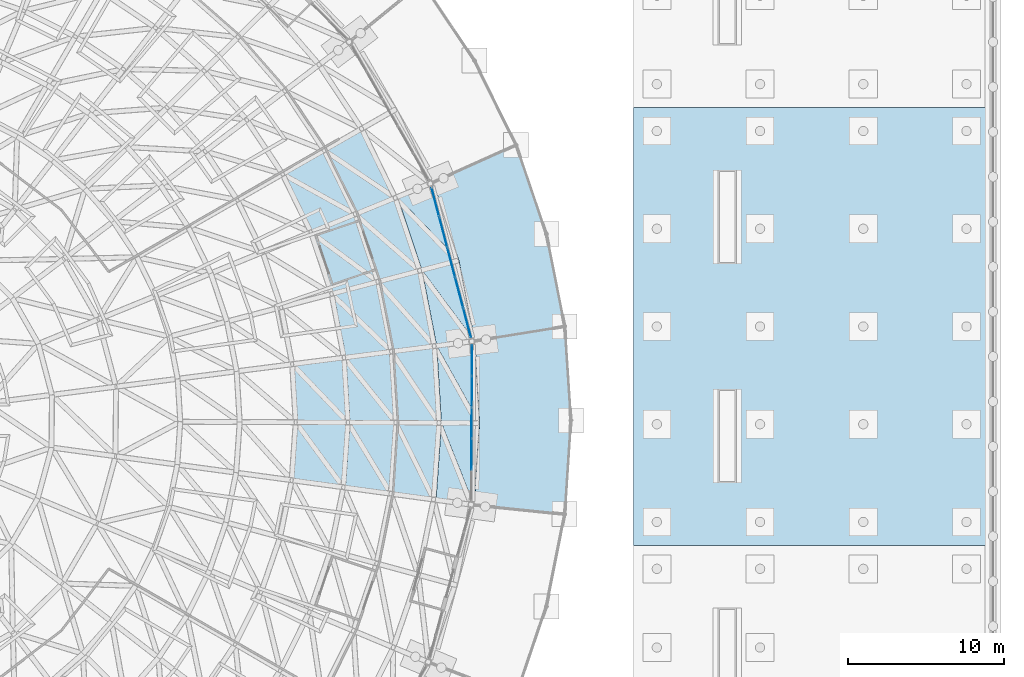
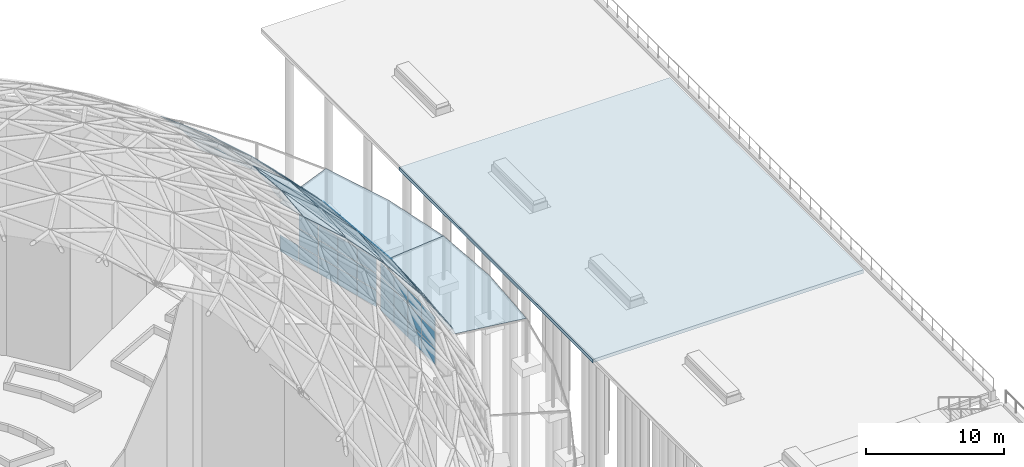
# One storey, part 153 of 226: 59 plates, 1 slab, 2 elements without a shape of their own.
"""IFC4 building model written with IfcOpenShell, lengths in metres."""

from ifc_helpers import new_model, si_unit, direction, frame, origin, origin_2d, place, context, subcontext, project, spatial, polyline, rectangle, outline, extrude, material, layer, layer_set, type_object, element, aggregate, save


model = new_model("IFC4")

# Units and contexts
model_context = context("Model", 3, precision=1e-05, world=origin(), true_north=direction((0.0, 1.0)))
body_context = subcontext(model_context, "Body", "Model", "MODEL_VIEW")
ifc_project = project(units=[si_unit("LENGTHUNIT", "METRE"), si_unit("AREAUNIT", "SQUARE_METRE"), si_unit("VOLUMEUNIT", "CUBIC_METRE"), si_unit("PLANEANGLEUNIT", "RADIAN"), si_unit("MASSUNIT", "GRAM", prefix="KILO")], contexts=[model_context])

# Site, building, storey
site_placement = place(None, origin())
site = spatial("IfcSite", under=ifc_project, at=site_placement, CompositionType="ELEMENT")
building_placement = place(site_placement, origin())
building = spatial("IfcBuilding", under=site, at=building_placement, Name="Ceibo Conservatory and Research Tower", CompositionType="ELEMENT")
storey_placement = place(building_placement, origin())
storey = spatial("IfcBuildingStorey", under=building, at=storey_placement, Name="L00", CompositionType="ELEMENT", Elevation=0.0)

# Plates
ifc_material_1 = material(Name="Laminated glass", Category="glass")
ifc_layer_1 = layer(ifc_material_1, 0.02490234375)
ifc_layer_set_1 = layer_set([ifc_layer_1], Name="Laminated glass")
plate_type_1 = type_object("IfcPlateType", Name="Canopy glass 25", PredefinedType="SHEET", material=ifc_layer_set_1)
plate_1_placement = place(storey_placement, frame((195.92822265625, 113.07958984375, 4.07275390625), z_axis=(-0.044193618704, -0.011748305783, -0.99895390353), x_axis=(-0.254614772596, 0.967042556314, -0.000108877376)))
element("IfcPlate", 1, at=plate_1_placement, inside=storey, type_object=plate_type_1, Name="Brim canopy plate A-CP01", PredefinedType="SHEET", context=body_context, shape_type="SweptSolid", body=[
    extrude(outline(polyline([(0.0, 0.0), (10.507416960908284, 4.440892098500626e-16), (11.456758165142325, 5.680353145272555), (5.454343613361995, 6.10031056466748), (-0.5516414804055606, 5.732470060247664), (0.0, 0.0)])), origin(), (0.0, 0.0, 1.0), 0.02490234375),
])
plate_2_placement = place(storey_placement, frame((195.88232421875, 102.572265625, 4.07275390625), z_axis=(-0.045728810587, 9.0168398e-05, -0.998953886699), x_axis=(0.0043631799, 0.999990475293, -0.000109470006)))
element("IfcPlate", 2, at=plate_2_placement, inside=storey, type_object=plate_type_1, Name="Brim canopy plate A-CP24", PredefinedType="SHEET", context=body_context, shape_type="SweptSolid", body=[
    extrude(outline(polyline([(0.0, 0.0), (10.507424402709386, -1.3877787807814457e-17), (11.45677990073015, 5.6801621530125495), (5.45440566515126, 6.100260397719241), (-0.5514065049779017, 5.732561831909539), (0.0, 0.0)])), origin(), (0.0, 0.0, 1.0), 0.02490234375),
])

# Curtain wall, plates
ifc_material_2 = material(Name="Aluminium and glass", Category="aluminium")
curtain_wall_type = type_object("IfcCurtainWallType", Name="Drum curtain wall", PredefinedType="NOTDEFINED", material=ifc_material_2)
curtain_wall_1_placement = place(storey_placement, origin())
curtain_wall_1 = element("IfcCurtainWall", 3, at=curtain_wall_1_placement, inside=storey, type_object=curtain_wall_type, Name="Drum curtain wall A-CW01", PredefinedType="NOTDEFINED")
ifc_layer_2 = layer(ifc_material_1, 0.028076171875)
ifc_layer_set_2 = layer_set([ifc_layer_2], Name="Laminated glass")
plate_type_2 = type_object("IfcPlateType", Name="Drum glass 28", PredefinedType="CURTAIN_PANEL", material=ifc_layer_set_2)
plate_3_placement = place(storey_placement, frame((195.369140625, 114.2294921875, 0.06005859375), z_axis=(0.0, 0.0, 1.0), x_axis=(-0.254601962062, 0.967045935266, 0.0)))
plate_3 = element("IfcPlate", 4, at=plate_3_placement, type_object=plate_type_2, Name="A-CW01 panel 1.1", PredefinedType="CURTAIN_PANEL", context=body_context, shape_type="SweptSolid", body=[
    extrude(rectangle(XDim=1.917236328125, YDim=0.028076171875, at=origin_2d()), origin(), (0.0, 0.0, 1.0), 1.43994140625),
])
plate_4_placement = place(storey_placement, frame((195.369140625, 114.2294921875, 1.56005859375), z_axis=(0.0, 0.0, 1.0), x_axis=(-0.254601962062, 0.967045935266, 0.0)))
plate_4 = element("IfcPlate", 5, at=plate_4_placement, type_object=plate_type_2, Name="A-CW01 panel 1.2", PredefinedType="CURTAIN_PANEL", context=body_context, shape_type="SweptSolid", body=[
    extrude(rectangle(XDim=1.917236328125, YDim=0.028076171875, at=origin_2d()), origin(), (0.0, 0.0, 1.0), 1.425048828125),
])
plate_5_placement = place(storey_placement, frame((195.369140625, 114.2294921875, 3.044921875), z_axis=(0.0, 0.0, 1.0), x_axis=(-0.254601962062, 0.967045935266, 0.0)))
plate_5 = element("IfcPlate", 6, at=plate_5_placement, type_object=plate_type_2, Name="A-CW01 panel 1.3", PredefinedType="CURTAIN_PANEL", context=body_context, shape_type="SweptSolid", body=[
    extrude(rectangle(XDim=1.917236328125, YDim=0.028076171875, at=origin_2d()), origin(), (0.0, 0.0, 1.0), 1.233154296875),
])
plate_6_placement = place(storey_placement, frame((194.86181640625, 116.156005859375, 0.06005859375), z_axis=(0.0, 0.0, 1.0), x_axis=(-0.254601962062, 0.967045935266, 0.0)))
plate_6 = element("IfcPlate", 7, at=plate_6_placement, type_object=plate_type_2, Name="A-CW01 panel 2.1", PredefinedType="CURTAIN_PANEL", context=body_context, shape_type="SweptSolid", body=[
    extrude(rectangle(XDim=1.947021484375, YDim=0.028076171875, at=origin_2d()), origin(), (0.0, 0.0, 1.0), 1.43994140625),
])
plate_7_placement = place(storey_placement, frame((194.86181640625, 116.156005859375, 1.56005859375), z_axis=(0.0, 0.0, 1.0), x_axis=(-0.254601962062, 0.967045935266, 0.0)))
plate_7 = element("IfcPlate", 8, at=plate_7_placement, type_object=plate_type_2, Name="A-CW01 panel 2.2", PredefinedType="CURTAIN_PANEL", context=body_context, shape_type="SweptSolid", body=[
    extrude(rectangle(XDim=1.947021484375, YDim=0.028076171875, at=origin_2d()), origin(), (0.0, 0.0, 1.0), 1.425048828125),
])
plate_8_placement = place(storey_placement, frame((194.86181640625, 116.156005859375, 3.044921875), z_axis=(0.0, 0.0, 1.0), x_axis=(-0.254601962062, 0.967045935266, 0.0)))
plate_8 = element("IfcPlate", 9, at=plate_8_placement, type_object=plate_type_2, Name="A-CW01 panel 2.3", PredefinedType="CURTAIN_PANEL", context=body_context, shape_type="SweptSolid", body=[
    extrude(rectangle(XDim=1.947021484375, YDim=0.028076171875, at=origin_2d()), origin(), (0.0, 0.0, 1.0), 1.233154296875),
])
plate_9_placement = place(storey_placement, frame((194.350830078125, 118.096923828125, 0.06005859375), z_axis=(0.0, 0.0, 1.0), x_axis=(-0.254601962062, 0.967045935266, 0.0)))
plate_9 = element("IfcPlate", 10, at=plate_9_placement, type_object=plate_type_2, Name="A-CW01 panel 3.1", PredefinedType="CURTAIN_PANEL", context=body_context, shape_type="SweptSolid", body=[
    extrude(rectangle(XDim=1.947021484375, YDim=0.028076171875, at=origin_2d()), origin(), (0.0, 0.0, 1.0), 1.43994140625),
])
plate_10_placement = place(storey_placement, frame((194.350830078125, 118.096923828125, 1.56005859375), z_axis=(0.0, 0.0, 1.0), x_axis=(-0.254601962062, 0.967045935266, 0.0)))
plate_10 = element("IfcPlate", 11, at=plate_10_placement, type_object=plate_type_2, Name="A-CW01 panel 3.2", PredefinedType="CURTAIN_PANEL", context=body_context, shape_type="SweptSolid", body=[
    extrude(rectangle(XDim=1.947021484375, YDim=0.028076171875, at=origin_2d()), origin(), (0.0, 0.0, 1.0), 1.425048828125),
])
plate_11_placement = place(storey_placement, frame((194.350830078125, 118.096923828125, 3.044921875), z_axis=(0.0, 0.0, 1.0), x_axis=(-0.254601962062, 0.967045935266, 0.0)))
plate_11 = element("IfcPlate", 12, at=plate_11_placement, type_object=plate_type_2, Name="A-CW01 panel 3.3", PredefinedType="CURTAIN_PANEL", context=body_context, shape_type="SweptSolid", body=[
    extrude(rectangle(XDim=1.947021484375, YDim=0.028076171875, at=origin_2d()), origin(), (0.0, 0.0, 1.0), 1.233154296875),
])
plate_12_placement = place(storey_placement, frame((193.83984375, 120.037841796875, 0.06005859375), z_axis=(0.0, 0.0, 1.0), x_axis=(-0.254601962062, 0.967045935266, 0.0)))
plate_12 = element("IfcPlate", 13, at=plate_12_placement, type_object=plate_type_2, Name="A-CW01 panel 4.1", PredefinedType="CURTAIN_PANEL", context=body_context, shape_type="SweptSolid", body=[
    extrude(rectangle(XDim=1.947021484375, YDim=0.028076171875, at=origin_2d()), origin(), (0.0, 0.0, 1.0), 1.43994140625),
])
plate_13_placement = place(storey_placement, frame((193.83984375, 120.037841796875, 1.56005859375), z_axis=(0.0, 0.0, 1.0), x_axis=(-0.254601962062, 0.967045935266, 0.0)))
plate_13 = element("IfcPlate", 14, at=plate_13_placement, type_object=plate_type_2, Name="A-CW01 panel 4.2", PredefinedType="CURTAIN_PANEL", context=body_context, shape_type="SweptSolid", body=[
    extrude(rectangle(XDim=1.947021484375, YDim=0.028076171875, at=origin_2d()), origin(), (0.0, 0.0, 1.0), 1.425048828125),
])
plate_14_placement = place(storey_placement, frame((193.83984375, 120.037841796875, 3.044921875), z_axis=(0.0, 0.0, 1.0), x_axis=(-0.254601962062, 0.967045935266, 0.0)))
plate_14 = element("IfcPlate", 15, at=plate_14_placement, type_object=plate_type_2, Name="A-CW01 panel 4.3", PredefinedType="CURTAIN_PANEL", context=body_context, shape_type="SweptSolid", body=[
    extrude(rectangle(XDim=1.947021484375, YDim=0.028076171875, at=origin_2d()), origin(), (0.0, 0.0, 1.0), 1.233154296875),
])
plate_15_placement = place(storey_placement, frame((193.332763671875, 121.96435546875, 0.06005859375), z_axis=(0.0, 0.0, 1.0), x_axis=(-0.254601962062, 0.967045935266, 0.0)))
plate_15 = element("IfcPlate", 16, at=plate_15_placement, type_object=plate_type_2, Name="A-CW01 panel 5.1", PredefinedType="CURTAIN_PANEL", context=body_context, shape_type="SweptSolid", body=[
    extrude(rectangle(XDim=1.917236328125, YDim=0.028076171875, at=origin_2d()), origin(), (0.0, 0.0, 1.0), 1.43994140625),
])
aggregate(curtain_wall_1, [plate_3, plate_4, plate_5, plate_6, plate_7, plate_8, plate_9, plate_10, plate_11, plate_12, plate_13, plate_14, plate_15])

curtain_wall_2_placement = place(storey_placement, origin())
curtain_wall_2 = element("IfcCurtainWall", 17, at=curtain_wall_2_placement, inside=storey, type_object=curtain_wall_type, Name="Drum curtain wall A-CW24", PredefinedType="NOTDEFINED")
plate_16_placement = place(storey_placement, frame((195.648681640625, 105.81982421875, 0.06005859375), z_axis=(0.0, 0.0, 1.0), x_axis=(0.004363300488, 0.999990480759, 0.0)))
plate_16 = element("IfcPlate", 18, at=plate_16_placement, type_object=plate_type_2, Name="A-CW24 panel 2.1", PredefinedType="CURTAIN_PANEL", context=body_context, shape_type="SweptSolid", body=[
    extrude(rectangle(XDim=1.947021484375, YDim=0.028076171875, at=origin_2d()), origin(), (0.0, 0.0, 1.0), 1.43994140625),
])
plate_17_placement = place(storey_placement, frame((195.648681640625, 105.81982421875, 1.56005859375), z_axis=(0.0, 0.0, 1.0), x_axis=(0.004363300488, 0.999990480759, 0.0)))
plate_17 = element("IfcPlate", 19, at=plate_17_placement, type_object=plate_type_2, Name="A-CW24 panel 2.2", PredefinedType="CURTAIN_PANEL", context=body_context, shape_type="SweptSolid", body=[
    extrude(rectangle(XDim=1.947021484375, YDim=0.028076171875, at=origin_2d()), origin(), (0.0, 0.0, 1.0), 1.425048828125),
])
plate_18_placement = place(storey_placement, frame((195.648681640625, 105.81982421875, 3.044921875), z_axis=(0.0, 0.0, 1.0), x_axis=(0.004363300488, 0.999990480759, 0.0)))
plate_18 = element("IfcPlate", 20, at=plate_18_placement, type_object=plate_type_2, Name="A-CW24 panel 2.3", PredefinedType="CURTAIN_PANEL", context=body_context, shape_type="SweptSolid", body=[
    extrude(rectangle(XDim=1.947021484375, YDim=0.028076171875, at=origin_2d()), origin(), (0.0, 0.0, 1.0), 1.233154296875),
])
plate_19_placement = place(storey_placement, frame((195.657470703125, 107.826904296875, 0.06005859375), z_axis=(0.0, 0.0, 1.0), x_axis=(0.004363300488, 0.999990480759, 0.0)))
plate_19 = element("IfcPlate", 21, at=plate_19_placement, type_object=plate_type_2, Name="A-CW24 panel 3.1", PredefinedType="CURTAIN_PANEL", context=body_context, shape_type="SweptSolid", body=[
    extrude(rectangle(XDim=1.947021484375, YDim=0.028076171875, at=origin_2d()), origin(), (0.0, 0.0, 1.0), 1.43994140625),
])
plate_20_placement = place(storey_placement, frame((195.657470703125, 107.826904296875, 1.56005859375), z_axis=(0.0, 0.0, 1.0), x_axis=(0.004363300488, 0.999990480759, 0.0)))
plate_20 = element("IfcPlate", 22, at=plate_20_placement, type_object=plate_type_2, Name="A-CW24 panel 3.2", PredefinedType="CURTAIN_PANEL", context=body_context, shape_type="SweptSolid", body=[
    extrude(rectangle(XDim=1.947021484375, YDim=0.028076171875, at=origin_2d()), origin(), (0.0, 0.0, 1.0), 1.425048828125),
])
plate_21_placement = place(storey_placement, frame((195.657470703125, 107.826904296875, 3.044921875), z_axis=(0.0, 0.0, 1.0), x_axis=(0.004363300488, 0.999990480759, 0.0)))
plate_21 = element("IfcPlate", 23, at=plate_21_placement, type_object=plate_type_2, Name="A-CW24 panel 3.3", PredefinedType="CURTAIN_PANEL", context=body_context, shape_type="SweptSolid", body=[
    extrude(rectangle(XDim=1.947021484375, YDim=0.028076171875, at=origin_2d()), origin(), (0.0, 0.0, 1.0), 1.233154296875),
])
plate_22_placement = place(storey_placement, frame((195.666259765625, 109.833984375, 0.06005859375), z_axis=(0.0, 0.0, 1.0), x_axis=(0.004363300488, 0.999990480759, 0.0)))
plate_22 = element("IfcPlate", 24, at=plate_22_placement, type_object=plate_type_2, Name="A-CW24 panel 4.1", PredefinedType="CURTAIN_PANEL", context=body_context, shape_type="SweptSolid", body=[
    extrude(rectangle(XDim=1.947021484375, YDim=0.028076171875, at=origin_2d()), origin(), (0.0, 0.0, 1.0), 1.43994140625),
])
plate_23_placement = place(storey_placement, frame((195.666259765625, 109.833984375, 1.56005859375), z_axis=(0.0, 0.0, 1.0), x_axis=(0.004363300488, 0.999990480759, 0.0)))
plate_23 = element("IfcPlate", 25, at=plate_23_placement, type_object=plate_type_2, Name="A-CW24 panel 4.2", PredefinedType="CURTAIN_PANEL", context=body_context, shape_type="SweptSolid", body=[
    extrude(rectangle(XDim=1.947021484375, YDim=0.028076171875, at=origin_2d()), origin(), (0.0, 0.0, 1.0), 1.425048828125),
])
plate_24_placement = place(storey_placement, frame((195.666259765625, 109.833984375, 3.044921875), z_axis=(0.0, 0.0, 1.0), x_axis=(0.004363300488, 0.999990480759, 0.0)))
plate_24 = element("IfcPlate", 26, at=plate_24_placement, type_object=plate_type_2, Name="A-CW24 panel 4.3", PredefinedType="CURTAIN_PANEL", context=body_context, shape_type="SweptSolid", body=[
    extrude(rectangle(XDim=1.947021484375, YDim=0.028076171875, at=origin_2d()), origin(), (0.0, 0.0, 1.0), 1.233154296875),
])
plate_25_placement = place(storey_placement, frame((195.6748046875, 111.826171875, 0.06005859375), z_axis=(0.0, 0.0, 1.0), x_axis=(0.004363300488, 0.999990480759, 0.0)))
plate_25 = element("IfcPlate", 27, at=plate_25_placement, type_object=plate_type_2, Name="A-CW24 panel 5.1", PredefinedType="CURTAIN_PANEL", context=body_context, shape_type="SweptSolid", body=[
    extrude(rectangle(XDim=1.917236328125, YDim=0.028076171875, at=origin_2d()), origin(), (0.0, 0.0, 1.0), 1.43994140625),
])
plate_26_placement = place(storey_placement, frame((195.6748046875, 111.826171875, 1.56005859375), z_axis=(0.0, 0.0, 1.0), x_axis=(0.004363300488, 0.999990480759, 0.0)))
plate_26 = element("IfcPlate", 28, at=plate_26_placement, type_object=plate_type_2, Name="A-CW24 panel 5.2", PredefinedType="CURTAIN_PANEL", context=body_context, shape_type="SweptSolid", body=[
    extrude(rectangle(XDim=1.917236328125, YDim=0.028076171875, at=origin_2d()), origin(), (0.0, 0.0, 1.0), 1.425048828125),
])
plate_27_placement = place(storey_placement, frame((195.6748046875, 111.826171875, 3.044921875), z_axis=(0.0, 0.0, 1.0), x_axis=(0.004363300488, 0.999990480759, 0.0)))
plate_27 = element("IfcPlate", 29, at=plate_27_placement, type_object=plate_type_2, Name="A-CW24 panel 5.3", PredefinedType="CURTAIN_PANEL", context=body_context, shape_type="SweptSolid", body=[
    extrude(rectangle(XDim=1.917236328125, YDim=0.028076171875, at=origin_2d()), origin(), (0.0, 0.0, 1.0), 1.233154296875),
])
aggregate(curtain_wall_2, [plate_16, plate_17, plate_18, plate_19, plate_20, plate_21, plate_22, plate_23, plate_24, plate_25, plate_26, plate_27])

# Plates
ifc_layer_3 = layer(ifc_material_1, 0.035888671875)
ifc_layer_set_3 = layer_set([ifc_layer_3], Name="Laminated glass")
plate_type_3 = type_object("IfcPlateType", Name="Gridshell roof glass 36", PredefinedType="SHEET", material=ifc_layer_set_3)
plate_28_placement = place(storey_placement, frame((195.84619140625, 113.069091796875, 4.601806640625), z_axis=(0.814738778815, 0.158319653824, 0.557795311479), x_axis=(-0.190751500946, 0.981638357486, 0.0)))
element("IfcPlate", 30, at=plate_28_placement, inside=storey, type_object=plate_type_3, Name="Glass panel A-P01-001", PredefinedType="SHEET", context=body_context, shape_type="SweptSolid", body=[
    extrude(outline(polyline([(0.0, 0.0), (5.253941702457205, 1.1102230246251565e-16), (5.093939743978923, 4.374936585347089), (0.0, 0.0)])), origin(), (0.0, 0.0, -1.0), 0.035888671875),
])
plate_29_placement = place(storey_placement, frame((195.84619140625, 113.069091796875, 4.601806640625), z_axis=(0.814794412678, 0.158457346714, 0.557674936088), x_axis=(-0.501458973527, 0.675362560417, 0.540762711229)))
element("IfcPlate", 31, at=plate_29_placement, inside=storey, type_object=plate_type_3, Name="Glass panel A-P01-002", PredefinedType="SHEET", context=body_context, shape_type="SweptSolid", body=[
    extrude(outline(polyline([(0.0, 0.0), (6.71478162274072, 8.881784197001252e-16), (2.9715025227845504, 3.214375672527901), (0.0, 0.0)])), origin(), (0.0, 0.0, -1.0), 0.035888671875),
])
plate_30_placement = place(storey_placement, frame((194.843994140625, 118.2265625, 4.601806640625), z_axis=(0.787104212811, 0.263319331949, 0.557790182414), x_axis=(-0.317259089309, 0.948338900526, 0.0)))
element("IfcPlate", 32, at=plate_30_placement, inside=storey, type_object=plate_type_3, Name="Glass panel A-P01-003", PredefinedType="SHEET", context=body_context, shape_type="SweptSolid", body=[
    extrude(outline(polyline([(0.0, 0.0), (5.254355962289331, 0.0), (5.094263083208822, 4.374918415704696), (0.0, 0.0)])), origin(), (0.0, 0.0, -1.0), 0.035888671875),
])
plate_31_placement = place(storey_placement, frame((194.843994140625, 118.2265625, 4.601806640625), z_axis=(0.787102300093, 0.263311939698, 0.55779637109), x_axis=(-0.585318108136, 0.60415125181, 0.540743910945)))
element("IfcPlate", 33, at=plate_31_placement, inside=storey, type_object=plate_type_3, Name="Glass panel A-P01-004", PredefinedType="SHEET", context=body_context, shape_type="SweptSolid", body=[
    extrude(outline(polyline([(0.0, 0.0), (6.71501507853976, -4.440892098500626e-16), (2.9716491720905545, 3.214805118594104), (0.0, 0.0)])), origin(), (0.0, 0.0, -1.0), 0.035888671875),
])
plate_32_placement = place(storey_placement, frame((195.801025390625, 102.58349609375, 4.601806640625), z_axis=(0.827977641225, -0.057895948918, 0.557764363088), x_axis=(0.06975421024, 0.997564208537, 0.0)))
element("IfcPlate", 34, at=plate_32_placement, inside=storey, type_object=plate_type_3, Name="Glass panel A-P01-093", PredefinedType="SHEET", context=body_context, shape_type="SweptSolid", body=[
    extrude(outline(polyline([(0.0, 0.0), (5.253519133306327, 5.551115123125783e-17), (5.093907858799342, 4.374826957068864), (0.0, 0.0)])), origin(), (0.0, 0.0, -1.0), 0.035888671875),
])
plate_33_placement = place(storey_placement, frame((195.801025390625, 102.58349609375, 4.601806640625), z_axis=(0.827972302841, -0.057903032785, 0.557771552271), x_axis=(-0.309598605144, 0.782122794509, 0.540770411545)))
element("IfcPlate", 35, at=plate_33_placement, inside=storey, type_object=plate_type_3, Name="Glass panel A-P01-094", PredefinedType="SHEET", context=body_context, shape_type="SweptSolid", body=[
    extrude(outline(polyline([(0.0, 0.0), (6.714686007419417, 0.0), (2.971369174010535, 3.214924470589305), (0.0, 0.0)])), origin(), (0.0, 0.0, -1.0), 0.035888671875),
])
plate_34_placement = place(storey_placement, frame((196.16748046875, 107.82421875, 4.601806640625), z_axis=(0.82850069804, 0.050752079254, 0.557683440491), x_axis=(-0.061143125985, 0.998129008768, 0.0)))
element("IfcPlate", 36, at=plate_34_placement, inside=storey, type_object=plate_type_3, Name="Glass panel A-P01-095", PredefinedType="SHEET", context=body_context, shape_type="SweptSolid", body=[
    extrude(outline(polyline([(0.0, 0.0), (5.254704553018939, 0.0), (5.095221856598572, 4.374540373181693), (0.0, 0.0)])), origin(), (0.0, 0.0, -1.0), 0.035888671875),
])
plate_35_placement = place(storey_placement, frame((196.16748046875, 107.82421875, 4.601806640625), z_axis=(0.8284555689, 0.050672325751, 0.557757730347), x_axis=(-0.408991673655, 0.735094368117, 0.54070516998)))
element("IfcPlate", 37, at=plate_35_placement, inside=storey, type_object=plate_type_3, Name="Glass panel A-P01-096", PredefinedType="SHEET", context=body_context, shape_type="SweptSolid", body=[
    extrude(outline(polyline([(0.0, 0.0), (6.715496202408012, -4.440892098500626e-16), (2.971544883548719, 3.2147329077703466), (0.0, 0.0)])), origin(), (0.0, 0.0, -1.0), 0.035888671875),
])
plate_36_placement = place(storey_placement, frame((193.4208984375, 112.7607421875, 8.23291015625), z_axis=(0.760353598471, 0.147869955787, 0.632453066613), x_axis=(-0.190898795953, 0.981609723721, 0.0)))
element("IfcPlate", 38, at=plate_36_placement, inside=storey, type_object=plate_type_3, Name="Glass panel A-P02-001", PredefinedType="SHEET", context=body_context, shape_type="SweptSolid", body=[
    extrude(outline(polyline([(0.0, 0.0), (4.933999329581213, -1.1102230246251565e-16), (4.752811163246886, 4.372854110007431), (0.0, 0.0)])), origin(), (0.0, 0.0, -1.0), 0.035888671875),
])
plate_37_placement = place(storey_placement, frame((193.4208984375, 112.7607421875, 8.23291015625), z_axis=(0.760356662597, 0.14787700298, 0.6324477351), x_axis=(-0.560829986925, 0.640629939904, 0.524464494379)))
element("IfcPlate", 39, at=plate_37_placement, inside=storey, type_object=plate_type_3, Name="Glass panel A-P02-002", PredefinedType="SHEET", context=body_context, shape_type="SweptSolid", body=[
    extrude(outline(polyline([(0.0, 0.0), (6.45841056459661, 4.440892098500626e-16), (3.0939020786154625, 3.0955052885199965), (0.0, 0.0)])), origin(), (0.0, 0.0, -1.0), 0.035888671875),
])
plate_38_placement = place(storey_placement, frame((192.47900390625, 117.60400390625, 8.23291015625), z_axis=(0.734540709945, 0.245728336838, 0.632508916861), x_axis=(-0.317251772576, 0.948341348248, 0.0)))
element("IfcPlate", 40, at=plate_38_placement, inside=storey, type_object=plate_type_3, Name="Glass panel A-P02-003", PredefinedType="SHEET", context=body_context, shape_type="SweptSolid", body=[
    extrude(outline(polyline([(0.0, 0.0), (4.934344967683669, -1.1102230246251565e-16), (4.753199402066526, 4.373111577510651), (0.0, 0.0)])), origin(), (0.0, 0.0, -1.0), 0.035888671875),
])
plate_39_placement = place(storey_placement, frame((192.47900390625, 117.60400390625, 8.23291015625), z_axis=(0.734562872889, 0.245805582972, 0.632453161233), x_axis=(-0.639601529677, 0.562037417692, 0.524427139219)))
element("IfcPlate", 41, at=plate_39_placement, inside=storey, type_object=plate_type_3, Name="Glass panel A-P02-004", PredefinedType="SHEET", context=body_context, shape_type="SweptSolid", body=[
    extrude(outline(polyline([(0.0, 0.0), (6.458870599815673, 0.0), (3.093895885686849, 3.0955597987372916), (0.0, 0.0)])), origin(), (0.0, 0.0, -1.0), 0.035888671875),
])
plate_40_placement = place(storey_placement, frame((190.91357421875, 122.283447265625, 8.23291015625), z_axis=(0.696238671441, 0.339609922317, 0.632389763559), x_axis=(-0.438404134249, 0.89877795649, 0.0)))
element("IfcPlate", 42, at=plate_40_placement, inside=storey, type_object=plate_type_3, Name="Glass panel A-P02-005", PredefinedType="SHEET", context=body_context, shape_type="SweptSolid", body=[
    extrude(outline(polyline([(0.0, 0.0), (4.933999861118422, -2.220446049250313e-16), (4.75320251493428, 4.3725623678107715), (0.0, 0.0)])), origin(), (0.0, 0.0, -1.0), 0.035888671875),
])
plate_41_placement = place(storey_placement, frame((190.91357421875, 122.283447265625, 8.23291015625), z_axis=(0.696213358112, 0.339440723467, 0.632508462582), x_axis=(-0.70745390637, 0.47376541857, 0.524457146513)))
element("IfcPlate", 43, at=plate_41_placement, inside=storey, type_object=plate_type_3, Name="Glass panel A-P02-006", PredefinedType="SHEET", context=body_context, shape_type="SweptSolid", body=[
    extrude(outline(polyline([(0.0, 0.0), (6.458501049653279, -6.661338147750939e-16), (3.0944110800168136, 3.095406056266225), (0.0, 0.0)])), origin(), (0.0, 0.0, -1.0), 0.035888671875),
])
plate_42_placement = place(storey_placement, frame((193.3779296875, 102.912841796875, 8.23291015625), z_axis=(0.772716075803, -0.054038769313, 0.632447371413), x_axis=(0.0697631511, 0.997563583311, 0.0)))
element("IfcPlate", 44, at=plate_42_placement, inside=storey, type_object=plate_type_3, Name="Glass panel A-P02-093", PredefinedType="SHEET", context=body_context, shape_type="SweptSolid", body=[
    extrude(outline(polyline([(0.0, 0.0), (4.93438550043227, 2.7755575615628914e-17), (4.753215307044493, 4.372827859184301), (0.0, 0.0)])), origin(), (0.0, 0.0, -1.0), 0.035888671875),
])
plate_43_placement = place(storey_placement, frame((193.3779296875, 102.912841796875, 8.23291015625), z_axis=(0.772660529781, -0.054108575487, 0.632509262998), x_axis=(-0.375810886491, 0.764020281407, 0.524441786277)))
element("IfcPlate", 45, at=plate_43_placement, inside=storey, type_object=plate_type_3, Name="Glass panel A-P02-094", PredefinedType="SHEET", context=body_context, shape_type="SweptSolid", body=[
    extrude(outline(polyline([(0.0, 0.0), (6.458690210962314, 4.440892098500626e-16), (3.0947228826932616, 3.0951306327440538), (0.0, 0.0)])), origin(), (0.0, 0.0, -1.0), 0.035888671875),
])
plate_44_placement = place(storey_placement, frame((193.72216796875, 107.835205078125, 8.23291015625), z_axis=(0.773164654537, 0.047290467593, 0.632439743098), x_axis=(-0.061050715095, 0.998134665357, 0.0)))
element("IfcPlate", 46, at=plate_44_placement, inside=storey, type_object=plate_type_3, Name="Glass panel A-P02-095", PredefinedType="SHEET", context=body_context, shape_type="SweptSolid", body=[
    extrude(outline(polyline([(0.0, 0.0), (4.9347420546863265, 0.0), (4.752898514135263, 4.372792699188496), (0.0, 0.0)])), origin(), (0.0, 0.0, -1.0), 0.035888671875),
])
plate_45_placement = place(storey_placement, frame((193.72216796875, 107.835205078125, 8.23291015625), z_axis=(0.773160260098, 0.047283155553, 0.632445662019), x_axis=(-0.472333921068, 0.708406377016, 0.524462650732)))
element("IfcPlate", 47, at=plate_45_placement, inside=storey, type_object=plate_type_3, Name="Glass panel A-P02-096", PredefinedType="SHEET", context=body_context, shape_type="SweptSolid", body=[
    extrude(outline(polyline([(0.0, 0.0), (6.458433267886678, 2.220446049250313e-16), (3.0941771989901588, 3.0952404730941234), (0.0, 0.0)])), origin(), (0.0, 0.0, -1.0), 0.035888671875),
])
plate_46_placement = place(storey_placement, frame((190.671630859375, 112.410400390625, 11.6201171875), z_axis=(0.699347552742, 0.136011723482, 0.701722032965), x_axis=(-0.190906820956, 0.981608163023, 0.0)))
element("IfcPlate", 48, at=plate_46_placement, inside=storey, type_object=plate_type_3, Name="Glass panel A-P03-001", PredefinedType="SHEET", context=body_context, shape_type="SweptSolid", body=[
    extrude(outline(polyline([(0.0, 0.0), (4.571878207421368, 0.0), (4.371438756720874, 4.372217833335619), (0.0, 0.0)])), origin(), (0.0, 0.0, -1.0), 0.035888671875),
])
plate_47_placement = place(storey_placement, frame((190.671630859375, 112.410400390625, 11.6201171875), z_axis=(0.69929618763, 0.135896628649, 0.701795517432), x_axis=(-0.622089393904, 0.599304984847, 0.503823700445)))
element("IfcPlate", 49, at=plate_47_placement, inside=storey, type_object=plate_type_3, Name="Glass panel A-P03-002", PredefinedType="SHEET", context=body_context, shape_type="SweptSolid", body=[
    extrude(outline(polyline([(0.0, 0.0), (6.182698891738085, 0.0), (3.2349168320961197, 2.9489067703742107), (0.0, 0.0)])), origin(), (0.0, 0.0, -1.0), 0.035888671875),
])
plate_48_placement = place(storey_placement, frame((189.798828125, 116.898193359375, 11.6201171875), z_axis=(0.675584060145, 0.226069598505, 0.701768276791), x_axis=(-0.317332850059, 0.948314221276, 0.0)))
element("IfcPlate", 50, at=plate_48_placement, inside=storey, type_object=plate_type_3, Name="Glass panel A-P03-003", PredefinedType="SHEET", context=body_context, shape_type="SweptSolid", body=[
    extrude(outline(polyline([(0.0, 0.0), (4.572258226990775, -1.1102230246251565e-16), (4.370779194624383, 4.372497388050967), (0.0, 0.0)])), origin(), (0.0, 0.0, -1.0), 0.035888671875),
])
plate_49_placement = place(storey_placement, frame((189.798828125, 116.898193359375, 11.6201171875), z_axis=(0.675611970282, 0.226163547666, 0.701711133814), x_axis=(-0.695013903086, 0.512928158363, 0.503845590311)))
element("IfcPlate", 51, at=plate_49_placement, inside=storey, type_object=plate_type_3, Name="Glass panel A-P03-004", PredefinedType="SHEET", context=body_context, shape_type="SweptSolid", body=[
    extrude(outline(polyline([(0.0, 0.0), (6.182430280777446, 2.220446049250313e-16), (3.2346693029564797, 2.9484537059357354), (0.0, 0.0)])), origin(), (0.0, 0.0, -1.0), 0.035888671875),
])
plate_50_placement = place(storey_placement, frame((188.347900390625, 121.234130859375, 11.6201171875), z_axis=(0.64029597473, 0.31217805054, 0.701830413637), x_axis=(-0.438240542436, 0.898857734553, 0.0)))
element("IfcPlate", 52, at=plate_50_placement, inside=storey, type_object=plate_type_3, Name="Glass panel A-P03-005", PredefinedType="SHEET", context=body_context, shape_type="SweptSolid", body=[
    extrude(outline(polyline([(0.0, 0.0), (4.571503032589862, 0.0), (4.369691083419548, 4.372873133249929), (0.0, 0.0)])), origin(), (0.0, 0.0, -1.0), 0.035888671875),
])
plate_51_placement = place(storey_placement, frame((188.347900390625, 121.234130859375, 11.6201171875), z_axis=(0.640310852499, 0.312271468521, 0.701775278932), x_axis=(-0.756007648785, 0.417792661364, 0.503886621264)))
element("IfcPlate", 53, at=plate_51_placement, inside=storey, type_object=plate_type_3, Name="Glass panel A-P03-006", PredefinedType="SHEET", context=body_context, shape_type="SweptSolid", body=[
    extrude(outline(polyline([(0.0, 0.0), (6.181926852043411, 0.0), (3.2345170349661716, 2.9491060949903893), (0.0, 0.0)])), origin(), (0.0, 0.0, -1.0), 0.035888671875),
])
plate_52_placement = place(storey_placement, frame((190.63134765625, 103.287353515625, 11.6201171875), z_axis=(0.710708262709, -0.049770125689, 0.701724091012), x_axis=(0.06985782743, 0.997556957746, 0.0)))
element("IfcPlate", 54, at=plate_52_placement, inside=storey, type_object=plate_type_3, Name="Glass panel A-P03-093", PredefinedType="SHEET", context=body_context, shape_type="SweptSolid", body=[
    extrude(outline(polyline([(0.0, 0.0), (4.571226292737238, 0.0), (4.369341781045656, 4.372230273173639), (0.0, 0.0)])), origin(), (0.0, 0.0, -1.0), 0.035888671875),
])
plate_53_placement = place(storey_placement, frame((190.63134765625, 103.287353515625, 11.6201171875), z_axis=(0.710708663855, -0.049769631133, 0.701723719806), x_axis=(-0.445764552789, 0.73982064844, 0.503943817919)))
element("IfcPlate", 55, at=plate_53_placement, inside=storey, type_object=plate_type_3, Name="Glass panel A-P03-094", PredefinedType="SHEET", context=body_context, shape_type="SweptSolid", body=[
    extrude(outline(polyline([(0.0, 0.0), (6.181225215218037, 0.0), (3.234011481003443, 2.9491590545173043), (0.0, 0.0)])), origin(), (0.0, 0.0, -1.0), 0.035888671875),
])
plate_54_placement = place(storey_placement, frame((190.95068359375, 107.847412109375, 11.6201171875), z_axis=(0.711045096954, 0.04348445938, 0.701800521438), x_axis=(-0.061041656274, 0.998135219396, 0.0)))
element("IfcPlate", 56, at=plate_54_placement, inside=storey, type_object=plate_type_3, Name="Glass panel A-P03-095", PredefinedType="SHEET", context=body_context, shape_type="SweptSolid", body=[
    extrude(outline(polyline([(0.0, 0.0), (4.571513150302315, -2.7755575615628914e-17), (4.370765544932332, 4.3726923571040155), (0.0, 0.0)])), origin(), (0.0, 0.0, -1.0), 0.035888671875),
])
plate_55_placement = place(storey_placement, frame((190.95068359375, 107.847412109375, 11.6201171875), z_axis=(0.711107793429, 0.043586582447, 0.701730657699), x_axis=(-0.538585113529, 0.675334160245, 0.503835139198)))
element("IfcPlate", 57, at=plate_55_placement, inside=storey, type_object=plate_type_3, Name="Glass panel A-P03-096", PredefinedType="SHEET", context=body_context, shape_type="SweptSolid", body=[
    extrude(outline(polyline([(0.0, 0.0), (6.182558523673149, -1.1102230246251565e-15), (3.234171428542714, 2.949116831954096), (0.0, 0.0)])), origin(), (0.0, 0.0, -1.0), 0.035888671875),
])
plate_56_placement = place(storey_placement, frame((187.584716796875, 103.701171875, 14.735107421875), z_axis=(0.642415247995, -0.044987167813, 0.765035165124), x_axis=(0.069857097416, 0.997557008867, 0.0)))
element("IfcPlate", 58, at=plate_56_placement, inside=storey, type_object=plate_type_3, Name="Glass panel A-P04-093", PredefinedType="SHEET", context=body_context, shape_type="SweptSolid", body=[
    extrude(outline(polyline([(0.0, 0.0), (4.169365410225462, 0.0), (3.950300612136636, 4.372242363016905), (0.0, 0.0)])), origin(), (0.0, 0.0, -1.0), 0.035888671875),
])
plate_57_placement = place(storey_placement, frame((187.584716796875, 103.701171875, 14.735107421875), z_axis=(0.642493133176, -0.044889797732, 0.764975476654), x_axis=(-0.51943977312, 0.708413595024, 0.477841501427)))
element("IfcPlate", 59, at=plate_57_placement, inside=storey, type_object=plate_type_3, Name="Glass panel A-P04-094", PredefinedType="SHEET", context=body_context, shape_type="SweptSolid", body=[
    extrude(outline(polyline([(0.0, 0.0), (5.892484892403775, 2.220446049250313e-16), (3.3912287716587572, 2.7677437428708576), (0.0, 0.0)])), origin(), (0.0, 0.0, -1.0), 0.035888671875),
])
plate_58_placement = place(storey_placement, frame((187.8759765625, 107.8603515625, 14.735107421875), z_axis=(0.642820603216, 0.039400993041, 0.765002767203), x_axis=(-0.061179102029, 0.998126804306, 0.0)))
element("IfcPlate", 60, at=plate_58_placement, inside=storey, type_object=plate_type_3, Name="Glass panel A-P04-095", PredefinedType="SHEET", context=body_context, shape_type="SweptSolid", body=[
    extrude(outline(polyline([(0.0, 0.0), (4.170165050839913, -5.551115123125783e-17), (3.951766782354754, 4.3719810876863985), (0.0, 0.0)])), origin(), (0.0, 0.0, -1.0), 0.035888671875),
])
plate_59_placement = place(storey_placement, frame((187.8759765625, 107.8603515625, 14.735107421875), z_axis=(0.642791504126, 0.039352862143, 0.765029695152), x_axis=(-0.60748542812, 0.634578681665, 0.477777512446)))
element("IfcPlate", 61, at=plate_59_placement, inside=storey, type_object=plate_type_3, Name="Glass panel A-P04-096", PredefinedType="SHEET", context=body_context, shape_type="SweptSolid", body=[
    extrude(outline(polyline([(0.0, 0.0), (5.893274075860548, 2.220446049250313e-16), (3.391193080415083, 2.768447607968445), (0.0, 0.0)])), origin(), (0.0, 0.0, -1.0), 0.035888671875),
])

# Slab
ifc_material_3 = material(Name="Concrete C35/45", Category="concrete")
ifc_layer_4 = layer(ifc_material_3, 0.300048828125)
ifc_layer_set_4 = layer_set([ifc_layer_4], Name="Concrete C35/45")
slab_type = type_object("IfcSlabType", Name="RC quay deck slab 300", PredefinedType="BASESLAB", material=ifc_layer_set_4)
slab_placement = place(storey_placement, frame((0.0, 0.0, -0.449951171875)))
element("IfcSlab", 62, at=slab_placement, inside=storey, type_object=slab_type, Name="Quay deck slab S2", PredefinedType="BASESLAB", context=body_context, shape_type="SweptSolid", body=[
    extrude(outline(polyline([(228.60009765625, 100.0), (228.60009765625, 128.0), (206.0, 128.0), (206.0, 100.0), (228.60009765625, 100.0)])), origin(), (0.0, 0.0, 1.0), 0.300048828125),
])

save(model, "model.ifc")
